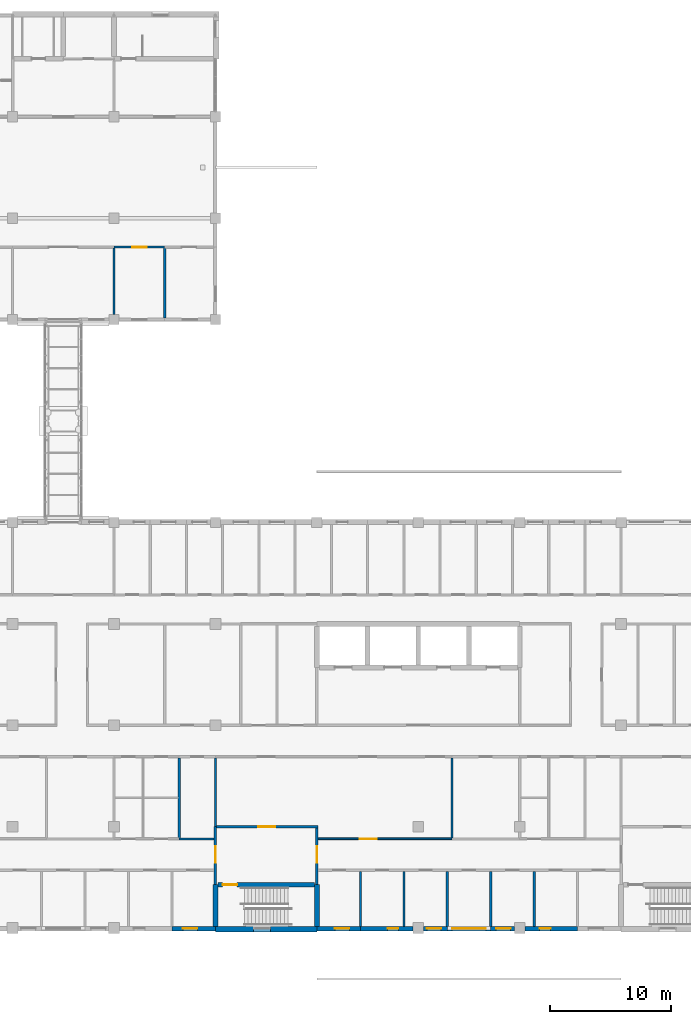
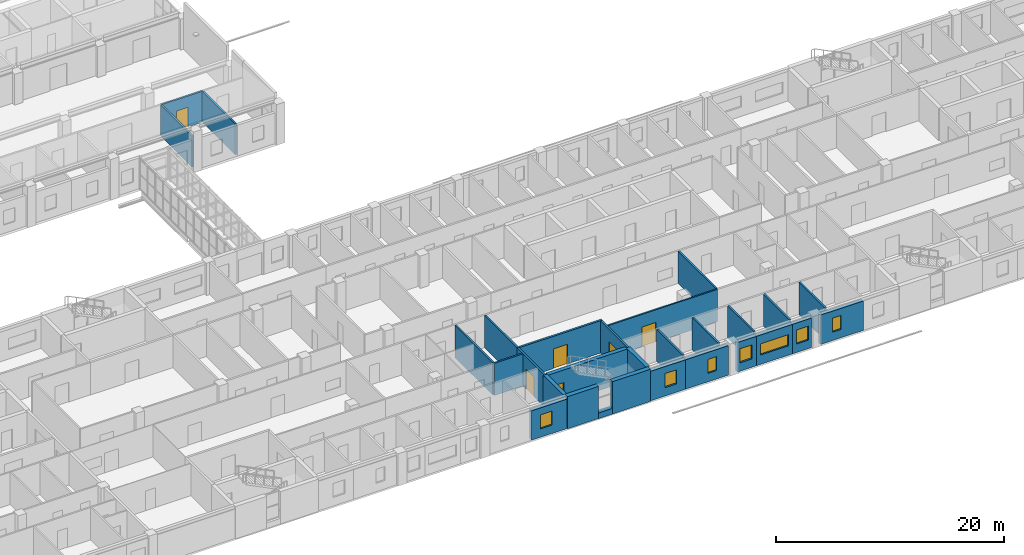
# One storey, part 58 of 94: 29 walls, 7 windows, 6 doors, 13 openings.
"""IFC4 building model written with IfcOpenShell, lengths in metres."""

from ifc_helpers import new_model, si_unit, direction, frame, frame_2d, origin, place, context, subcontext, project, spatial, rectangle, extrude, material, layer, layer_set, type_object, element, fill, save


model = new_model("IFC4")

# Units and contexts
model_context = context("Model", 3, precision=1e-05, world=origin(), true_north=direction((0.0, 1.0)))
body_context = subcontext(model_context, "Body", "Model", "MODEL_VIEW")
ifc_project = project(units=[si_unit("LENGTHUNIT", "METRE"), si_unit("AREAUNIT", "SQUARE_METRE"), si_unit("VOLUMEUNIT", "CUBIC_METRE"), si_unit("PLANEANGLEUNIT", "RADIAN"), si_unit("MASSUNIT", "GRAM", prefix="KILO")], contexts=[model_context])

# Site, building, storey
site_placement = place(None, origin())
site = spatial("IfcSite", under=ifc_project, at=site_placement, CompositionType="ELEMENT")
building_placement = place(site_placement, origin())
building = spatial("IfcBuilding", under=site, at=building_placement, Name="Yavir Park General Hospital", CompositionType="ELEMENT")
storey_placement = place(building_placement, frame((0.0, 0.0, 4.5)))
storey = spatial("IfcBuildingStorey", under=building, at=storey_placement, Name="L01", CompositionType="ELEMENT", Elevation=4.5)

# Wall
ifc_material_1 = material(Name="Double-leaf gypsum board acoustic partition on staggered studs")
ifc_layer_1 = layer(ifc_material_1, 0.175048828125)
ifc_layer_set_1 = layer_set([ifc_layer_1], Name="Double-leaf gypsum board acoustic partition on staggered studs")
wall_type_1 = type_object("IfcWallType", Name="Acoustic partition 175", PredefinedType="PARTITIONING", material=ifc_layer_set_1)
wall_1_placement = place(storey_placement, frame((64.199951171875, 7.39990234375, 0.0), z_axis=(0.0, 0.0, 1.0), x_axis=(1.0, 0.0, 0.0)))
element("IfcWall", 1, at=wall_1_placement, inside=storey, type_object=wall_type_1, Name="AP175 L01-019", PredefinedType="PARTITIONING", context=body_context, shape_type="SweptSolid", body=[
    extrude(rectangle(XDim=2.900146484375, YDim=0.175048828125, at=frame_2d((1.4501953125, 0.0))), origin(), (0.0, 0.0, 1.0), 3.449951171875),
])

# Wall, opening, door
wall_2_placement = place(storey_placement, frame((58.800048828125, 56.39990234375, 0.0), z_axis=(0.0, 0.0, 1.0), x_axis=(1.0, 0.0, 0.0)))
wall_2 = element("IfcWall", 2, at=wall_2_placement, inside=storey, type_object=wall_type_1, Name="AP175 L01-169", PredefinedType="PARTITIONING", context=body_context, shape_type="SweptSolid", body=[
    extrude(rectangle(XDim=4.199951171875, YDim=0.175048828125, at=frame_2d((2.10009765625, 0.0))), origin(), (0.0, 0.0, 1.0), 3.300048828125),
])
opening_1_placement = place(wall_2_placement, frame((1.5, 0.0, 0.0)))
opening_1 = element("IfcOpeningElement", 3, at=opening_1_placement, cuts=wall_2, Name="Opening L01.D150", PredefinedType="OPENING", context=body_context, shape_type="SweptSolid", body=[
    extrude(rectangle(XDim=1.199951171875, YDim=2.10009765625, at=frame_2d((0.60009765625, 1.050048828125))), frame((0.0, 0.097412109375, 0.0), z_axis=(0.0, -1.0, 0.0), x_axis=(1.0, 0.0, 0.0)), (0.0, 0.0, 1.0), 0.195068359375),
])
ifc_material_2 = material(Name="Sealed solid-core acoustic door leaf, Rw 42 dB")
door_type_1 = type_object("IfcDoorType", Name="Acoustic door 1200 x 2100", OperationType="SINGLE_SWING_LEFT", PredefinedType="DOOR", material=ifc_material_2)
door_1_placement = place(opening_1_placement, origin())
door_1 = element("IfcDoor", 4, at=door_1_placement, inside=storey, type_object=door_type_1, Name="L01.D150", OperationType="SINGLE_SWING_LEFT", OverallHeight=2.10009765625, OverallWidth=1.199951171875, PredefinedType="DOOR", context=body_context, shape_type="SweptSolid", body=[
    extrude(rectangle(XDim=1.199951171875, YDim=2.10009765625, at=frame_2d((0.60009765625, 1.050048828125))), frame((0.0, 0.03515625, 0.0), z_axis=(0.0, -1.0, 0.0), x_axis=(1.0, 0.0, 0.0)), (0.0, 0.0, 1.0), 0.070068359375),
])
fill(opening_1, door_1)

# Walls
wall_3_placement = place(storey_placement, frame((58.800048828125, 50.824951171875, 0.0), z_axis=(0.0, 0.0, 1.0), x_axis=(0.0, 1.0, 0.0)))
element("IfcWall", 5, at=wall_3_placement, inside=storey, type_object=wall_type_1, Name="AP175 L01-362", PredefinedType="PARTITIONING", context=body_context, shape_type="SweptSolid", body=[
    extrude(rectangle(XDim=5.487548828125, YDim=0.175048828125, at=frame_2d((2.74365234375, 0.0))), origin(), (0.0, 0.0, 1.0), 3.300048828125),
])
wall_4_placement = place(storey_placement, frame((63.0, 50.550048828125, 0.0), z_axis=(0.0, 0.0, 1.0), x_axis=(0.0, 1.0, 0.0)))
element("IfcWall", 6, at=wall_4_placement, inside=storey, type_object=wall_type_1, Name="AP175 L01-370", PredefinedType="PARTITIONING", context=body_context, shape_type="SweptSolid", body=[
    extrude(rectangle(XDim=5.762451171875, YDim=0.175048828125, at=frame_2d((2.88134765625, 0.0))), origin(), (0.0, 0.0, 1.0), 3.300048828125),
])
wall_5_placement = place(storey_placement, frame((64.199951171875, 7.487548828125, 0.0), z_axis=(0.0, 0.0, 1.0), x_axis=(0.0, 1.0, 0.0)))
element("IfcWall", 7, at=wall_5_placement, inside=storey, type_object=wall_type_1, Name="AP175 L01-372", PredefinedType="PARTITIONING", context=body_context, shape_type="SweptSolid", body=[
    extrude(rectangle(XDim=6.625, YDim=0.175048828125, at=frame_2d((3.3125, 0.0))), origin(), (0.0, 0.0, 1.0), 3.449951171875),
])
wall_6_placement = place(storey_placement, frame((67.199951171875, 8.39990234375, 0.0), z_axis=(0.0, 0.0, 1.0), x_axis=(0.0, 1.0, 0.0)))
element("IfcWall", 8, at=wall_6_placement, inside=storey, type_object=wall_type_1, Name="AP175 L01-376", PredefinedType="PARTITIONING", context=body_context, shape_type="SweptSolid", body=[
    extrude(rectangle(XDim=5.712646484375, YDim=0.175048828125, at=frame_2d((2.8564453125, 0.0))), origin(), (0.0, 0.0, 1.0), 3.449951171875),
])
for number, where, z_axis, x_axis, name in (
    (9, (79.199951171875, 0.14990234375, 0.0), (0.0, 0.0, 1.0), (0.0, 1.0, 0.0), "AP175 L01-387"),
    (10, (82.800048828125, 0.14990234375, 0.0), (0.0, 0.0, 1.0), (0.0, 1.0, 0.0), "AP175 L01-390"),
    (11, (86.39990234375, 0.14990234375, 0.0), (0.0, 0.0, 1.0), (0.0, 1.0, 0.0), "AP175 L01-394"),
):
    element("IfcWall", number, at=place(storey_placement, frame(where, z_axis=z_axis, x_axis=x_axis)), inside=storey, type_object=wall_type_1, Name=name, PredefinedType="PARTITIONING", context=body_context, shape_type="SweptSolid", body=[
        extrude(rectangle(XDim=4.5625, YDim=0.175048828125, at=frame_2d((2.28125, 0.0))), origin(), (0.0, 0.0, 1.0), 3.449951171875),
    ])
wall_7_placement = place(storey_placement, frame((86.800048828125, 7.487548828125, 0.0), z_axis=(0.0, 0.0, 1.0), x_axis=(0.0, 1.0, 0.0)))
element("IfcWall", 12, at=wall_7_placement, inside=storey, type_object=wall_type_1, Name="AP175 L01-395", PredefinedType="PARTITIONING", context=body_context, shape_type="SweptSolid", body=[
    extrude(rectangle(XDim=6.625, YDim=0.175048828125, at=frame_2d((3.3125, 0.0))), origin(), (0.0, 0.0, 1.0), 3.449951171875),
])
for number, where, z_axis, x_axis, name in (
    (13, (90.0, 0.14990234375, 0.0), (0.0, 0.0, 1.0), (0.0, 1.0, 0.0), "AP175 L01-398"),
    (14, (93.60009765625, 0.14990234375, 0.0), (0.0, 0.0, 1.0), (0.0, 1.0, 0.0), "AP175 L01-404"),
):
    element("IfcWall", number, at=place(storey_placement, frame(where, z_axis=z_axis, x_axis=x_axis)), inside=storey, type_object=wall_type_1, Name=name, PredefinedType="PARTITIONING", context=body_context, shape_type="SweptSolid", body=[
        extrude(rectangle(XDim=4.5625, YDim=0.175048828125, at=frame_2d((2.28125, 0.0))), origin(), (0.0, 0.0, 1.0), 3.449951171875),
    ])

# Wall, opening, door
ifc_material_3 = material(Name="Double gypsum board fire partition on steel studs", Category="steel")
ifc_layer_2 = layer(ifc_material_3, 0.199951171875)
ifc_layer_set_2 = layer_set([ifc_layer_2], Name="Double gypsum board fire partition on steel studs")
wall_type_2 = type_object("IfcWallType", Name="Fire-rated partition 200, EI 60", PredefinedType="PARTITIONING", material=ifc_layer_set_2)
wall_8_placement = place(storey_placement, frame((67.300048828125, 8.39990234375, 0.0), z_axis=(0.0, 0.0, 1.0), x_axis=(1.0, 0.0, 0.0)))
wall_8 = element("IfcWall", 15, at=wall_8_placement, inside=storey, type_object=wall_type_2, Name="FP20 L01-030", PredefinedType="PARTITIONING", context=body_context, shape_type="SweptSolid", body=[
    extrude(rectangle(XDim=8.39990234375, YDim=0.199951171875, at=frame_2d((4.199951171875, 0.0))), origin(), (0.0, 0.0, 1.0), 3.449951171875),
])
opening_2_placement = place(wall_8_placement, frame((3.449951171875, 0.0, 0.0)))
opening_2 = element("IfcOpeningElement", 16, at=opening_2_placement, cuts=wall_8, Name="Opening L01.D046", PredefinedType="OPENING", context=body_context, shape_type="SweptSolid", body=[
    extrude(rectangle(XDim=1.39990234375, YDim=2.10009765625, at=frame_2d((0.699951171875, 1.050048828125))), frame((0.0, 0.10986328125, 0.0), z_axis=(0.0, -1.0, 0.0), x_axis=(1.0, 0.0, 0.0)), (0.0, 0.0, 1.0), 0.219970703125),
])
ifc_material_4 = material(Name="Steel frame, fire-resisting timber leaves", Category="steel")
door_type_2 = type_object("IfcDoorType", Name="Double fire door 1400 x 2100, EI 60", OperationType="DOUBLE_DOOR_SINGLE_SWING", PredefinedType="DOOR", material=ifc_material_4)
door_2_placement = place(opening_2_placement, origin())
door_2 = element("IfcDoor", 17, at=door_2_placement, inside=storey, type_object=door_type_2, Name="L01.D046", OperationType="SINGLE_SWING_RIGHT", OverallHeight=2.10009765625, OverallWidth=1.39990234375, PredefinedType="DOOR", context=body_context, shape_type="SweptSolid", body=[
    extrude(rectangle(XDim=1.39990234375, YDim=2.10009765625, at=frame_2d((0.699951171875, 1.050048828125))), frame((0.0, 0.02490234375, 0.0), z_axis=(0.0, -1.0, 0.0), x_axis=(1.0, 0.0, 0.0)), (0.0, 0.0, 1.0), 0.050048828125),
])
fill(opening_2, door_2)

wall_9_placement = place(storey_placement, frame((67.199951171875, 3.60009765625, 0.0), z_axis=(0.0, 0.0, 1.0), x_axis=(0.0, 1.0, 0.0)))
wall_9 = element("IfcWall", 18, at=wall_9_placement, inside=storey, type_object=wall_type_2, Name="FP20 L01-375", PredefinedType="PARTITIONING", context=body_context, shape_type="SweptSolid", body=[
    extrude(rectangle(XDim=4.7998046875, YDim=0.199951171875, at=frame_2d((2.39990234375, 0.0))), origin(), (0.0, 0.0, 1.0), 3.449951171875),
])
opening_3_placement = place(wall_9_placement, frame((1.800048828125, 0.0, 0.0)))
opening_3 = element("IfcOpeningElement", 19, at=opening_3_placement, cuts=wall_9, Name="Opening L01.D234", PredefinedType="OPENING", context=body_context, shape_type="SweptSolid", body=[
    extrude(rectangle(XDim=1.39990234375, YDim=2.10009765625, at=frame_2d((0.699951171875, 1.050048828125))), frame((0.0, 0.10986328125, 0.0), z_axis=(0.0, -1.0, 0.0), x_axis=(1.0, 0.0, 0.0)), (0.0, 0.0, 1.0), 0.219970703125),
])
ifc_material_5 = material(Name="Steel frame, fire-resisting leaves with vision panels", Category="steel")
door_type_3 = type_object("IfcDoorType", Name="Double fire door with vision panels 1400 x 2100, EI 60", OperationType="DOUBLE_DOOR_SINGLE_SWING", PredefinedType="DOOR", material=ifc_material_5)
door_3_placement = place(opening_3_placement, origin())
door_3 = element("IfcDoor", 20, at=door_3_placement, inside=storey, type_object=door_type_3, Name="L01.D234", OperationType="SINGLE_SWING_RIGHT", OverallHeight=2.10009765625, OverallWidth=1.39990234375, PredefinedType="DOOR", context=body_context, shape_type="SweptSolid", body=[
    extrude(rectangle(XDim=1.39990234375, YDim=2.10009765625, at=frame_2d((0.699951171875, 1.050048828125))), frame((0.0, 0.030029296875, 0.0), z_axis=(0.0, -1.0, 0.0), x_axis=(1.0, 0.0, 0.0)), (0.0, 0.0, 1.0), 0.06005859375),
])
fill(opening_3, door_3)

wall_10_placement = place(storey_placement, frame((75.60009765625, 3.60009765625, 0.0), z_axis=(0.0, 0.0, 1.0), x_axis=(0.0, 1.0, 0.0)))
wall_10 = element("IfcWall", 21, at=wall_10_placement, inside=storey, type_object=wall_type_2, Name="FP20 L01-383", PredefinedType="PARTITIONING", context=body_context, shape_type="SweptSolid", body=[
    extrude(rectangle(XDim=4.699951171875, YDim=0.199951171875, at=frame_2d((2.35009765625, 0.0))), origin(), (0.0, 0.0, 1.0), 3.449951171875),
])
opening_4_placement = place(wall_10_placement, frame((1.800048828125, 0.0, 0.0)))
opening_4 = element("IfcOpeningElement", 22, at=opening_4_placement, cuts=wall_10, Name="Opening L01.D235", PredefinedType="OPENING", context=body_context, shape_type="SweptSolid", body=[
    extrude(rectangle(XDim=1.39990234375, YDim=2.10009765625, at=frame_2d((0.699951171875, 1.050048828125))), frame((0.0, 0.10986328125, 0.0), z_axis=(0.0, -1.0, 0.0), x_axis=(1.0, 0.0, 0.0)), (0.0, 0.0, 1.0), 0.219970703125),
])
door_4_placement = place(opening_4_placement, origin())
door_4 = element("IfcDoor", 23, at=door_4_placement, inside=storey, type_object=door_type_3, Name="L01.D235", OperationType="SINGLE_SWING_LEFT", OverallHeight=2.10009765625, OverallWidth=1.39990234375, PredefinedType="DOOR", context=body_context, shape_type="SweptSolid", body=[
    extrude(rectangle(XDim=1.39990234375, YDim=2.10009765625, at=frame_2d((0.699951171875, 1.050048828125))), frame((0.0, 0.030029296875, 0.0), z_axis=(0.0, -1.0, 0.0), x_axis=(1.0, 0.0, 0.0)), (0.0, 0.0, 1.0), 0.06005859375),
])
fill(opening_4, door_4)

ifc_material_6 = material(Name="Gypsum board partition on steel studs", Category="steel")
ifc_layer_3 = layer(ifc_material_6, 0.14990234375)
ifc_layer_set_3 = layer_set([ifc_layer_3], Name="Gypsum board partition on steel studs")
wall_type_3 = type_object("IfcWallType", Name="Gypsum board partition 150", PredefinedType="PARTITIONING", material=ifc_layer_set_3)
wall_11_placement = place(storey_placement, frame((75.699951171875, 7.39990234375, 0.0), z_axis=(0.0, 0.0, 1.0), x_axis=(1.0, 0.0, 0.0)))
wall_11 = element("IfcWall", 24, at=wall_11_placement, inside=storey, type_object=wall_type_3, Name="P15 L01-020", PredefinedType="PARTITIONING", context=body_context, shape_type="SweptSolid", body=[
    extrude(rectangle(XDim=11.10009765625, YDim=0.14990234375, at=frame_2d((5.550048828125, 0.0))), origin(), (0.0, 0.0, 1.0), 3.449951171875),
])
opening_5_placement = place(wall_11_placement, frame((3.449951171875, 0.0, 0.0)))
opening_5 = element("IfcOpeningElement", 25, at=opening_5_placement, cuts=wall_11, Name="Opening L01.D040", PredefinedType="OPENING", context=body_context, shape_type="SweptSolid", body=[
    extrude(rectangle(XDim=1.39990234375, YDim=2.10009765625, at=frame_2d((0.699951171875, 1.050048828125))), frame((0.0, 0.0849609375, 0.0), z_axis=(0.0, -1.0, 0.0), x_axis=(1.0, 0.0, 0.0)), (0.0, 0.0, 1.0), 0.169921875),
])
ifc_material_7 = material(Name="Hollow metal frame, solid-core timber leaf", Category="wood")
door_type_4 = type_object("IfcDoorType", Name="Double swing door 1400 x 2100", OperationType="DOUBLE_DOOR_SINGLE_SWING", PredefinedType="DOOR", material=ifc_material_7)
door_5_placement = place(opening_5_placement, origin())
door_5 = element("IfcDoor", 26, at=door_5_placement, inside=storey, type_object=door_type_4, Name="L01.D040", OperationType="SINGLE_SWING_LEFT", OverallHeight=2.10009765625, OverallWidth=1.39990234375, PredefinedType="DOOR", context=body_context, shape_type="SweptSolid", body=[
    extrude(rectangle(XDim=1.39990234375, YDim=2.10009765625, at=frame_2d((0.699951171875, 1.050048828125))), frame((0.0, 0.02490234375, 0.0), z_axis=(0.0, -1.0, 0.0), x_axis=(1.0, 0.0, 0.0)), (0.0, 0.0, 1.0), 0.050048828125),
])
fill(opening_5, door_5)

# Wall, opening, window
ifc_material_8 = material(Name="Autoclaved aerated block, 150 mm mineral wool and sand-coloured mineral render")
ifc_layer_4 = layer(ifc_material_8, 0.375)
ifc_layer_set_4 = layer_set([ifc_layer_4], Name="Autoclaved aerated block, 150 mm mineral wool and sand-coloured mineral render")
wall_type_4 = type_object("IfcWallType", Name="Mineral render clinical wall 375, E 30", PredefinedType="SOLIDWALL", material=ifc_layer_set_4)
wall_12_placement = place(storey_placement, frame((63.60009765625, -0.03759765625, 0.0), z_axis=(0.0, 0.0, 1.0), x_axis=(1.0, 0.0, 0.0)))
wall_12 = element("IfcWall", 27, at=wall_12_placement, inside=storey, type_object=wall_type_4, Name="XW1 L01-017", PredefinedType="SOLIDWALL", context=body_context, shape_type="SweptSolid", body=[
    extrude(rectangle(XDim=3.599853515625, YDim=0.375, at=frame_2d((1.7998046875, 0.0))), origin(), (0.0, 0.0, 1.0), 3.14990234375),
])
opening_6_placement = place(wall_12_placement, frame((0.89990234375, 0.0, 0.89990234375)))
opening_6 = element("IfcOpeningElement", 28, at=opening_6_placement, cuts=wall_12, Name="Opening WD", PredefinedType="OPENING", context=body_context, shape_type="SweptSolid", body=[
    extrude(rectangle(XDim=1.199951171875, YDim=1.5, at=frame_2d((0.60009765625, 0.75))), frame((0.0, 0.197509765625, 0.0), z_axis=(0.0, -1.0, 0.0), x_axis=(1.0, 0.0, 0.0)), (0.0, 0.0, 1.0), 0.39501953125),
])
ifc_material_9 = material(Name="Aluminium frame, double glazed unit", Category="aluminium")
window_type_1 = type_object("IfcWindowType", Name="Office window 1200 x 1500", PartitioningType="SINGLE_PANEL", PredefinedType="WINDOW", material=ifc_material_9)
window_1_placement = place(opening_6_placement, origin())
window_1 = element("IfcWindow", 29, at=window_1_placement, inside=storey, type_object=window_type_1, Name="WD L01-013", OverallHeight=1.5, OverallWidth=1.199951171875, PartitioningType="SINGLE_PANEL", PredefinedType="WINDOW", context=body_context, shape_type="SweptSolid", body=[
    extrude(rectangle(XDim=1.199951171875, YDim=1.5, at=frame_2d((0.60009765625, 0.75))), frame((0.0, 0.030029296875, 0.0), z_axis=(0.0, -1.0, 0.0), x_axis=(1.0, 0.0, 0.0)), (0.0, 0.0, 1.0), 0.06005859375),
])
fill(opening_6, window_1)

wall_13_placement = place(storey_placement, frame((75.60009765625, -0.03759765625, 0.0), z_axis=(0.0, 0.0, 1.0), x_axis=(1.0, 0.0, 0.0)))
wall_13 = element("IfcWall", 30, at=wall_13_placement, inside=storey, type_object=wall_type_4, Name="XW1 L01-021", PredefinedType="SOLIDWALL", context=body_context, shape_type="SweptSolid", body=[
    extrude(rectangle(XDim=3.599853515625, YDim=0.375, at=frame_2d((1.7998046875, 0.0))), origin(), (0.0, 0.0, 1.0), 3.14990234375),
])
opening_7_placement = place(wall_13_placement, frame((1.5, 0.0, 0.89990234375)))
opening_7 = element("IfcOpeningElement", 31, at=opening_7_placement, cuts=wall_13, Name="Opening WD", PredefinedType="OPENING", context=body_context, shape_type="SweptSolid", body=[
    extrude(rectangle(XDim=1.199951171875, YDim=1.5, at=frame_2d((0.60009765625, 0.75))), frame((0.0, 0.197509765625, 0.0), z_axis=(0.0, -1.0, 0.0), x_axis=(1.0, 0.0, 0.0)), (0.0, 0.0, 1.0), 0.39501953125),
])
window_2_placement = place(opening_7_placement, origin())
window_2 = element("IfcWindow", 32, at=window_2_placement, inside=storey, type_object=window_type_1, Name="WD L01-014", OverallHeight=1.5, OverallWidth=1.199951171875, PartitioningType="SINGLE_PANEL", PredefinedType="WINDOW", context=body_context, shape_type="SweptSolid", body=[
    extrude(rectangle(XDim=1.199951171875, YDim=1.5, at=frame_2d((0.60009765625, 0.75))), frame((0.0, 0.030029296875, 0.0), z_axis=(0.0, -1.0, 0.0), x_axis=(1.0, 0.0, 0.0)), (0.0, 0.0, 1.0), 0.06005859375),
])
fill(opening_7, window_2)

wall_14_placement = place(storey_placement, frame((79.199951171875, -0.03759765625, 0.0), z_axis=(0.0, 0.0, 1.0), x_axis=(1.0, 0.0, 0.0)))
wall_14 = element("IfcWall", 33, at=wall_14_placement, inside=storey, type_object=wall_type_4, Name="XW1 L01-022", PredefinedType="SOLIDWALL", context=body_context, shape_type="SweptSolid", body=[
    extrude(rectangle(XDim=4.35009765625, YDim=0.375, at=frame_2d((2.175048828125, 0.0))), origin(), (0.0, 0.0, 1.0), 3.14990234375),
])
opening_8_placement = place(wall_14_placement, frame((2.25, 0.0, 0.89990234375)))
opening_8 = element("IfcOpeningElement", 34, at=opening_8_placement, cuts=wall_14, Name="Opening WH", PredefinedType="OPENING", context=body_context, shape_type="SweptSolid", body=[
    extrude(rectangle(XDim=0.89990234375, YDim=1.5, at=frame_2d((0.449951171875, 0.75))), frame((0.0, 0.197509765625, 0.0), z_axis=(0.0, -1.0, 0.0), x_axis=(1.0, 0.0, 0.0)), (0.0, 0.0, 1.0), 0.39501953125),
])
ifc_material_10 = material(Name="Aluminium frame, double glazed unit", Category="aluminium")
window_type_2 = type_object("IfcWindowType", Name="Narrow window 900 x 1500", PartitioningType="SINGLE_PANEL", PredefinedType="WINDOW", material=ifc_material_10)
window_3_placement = place(opening_8_placement, origin())
window_3 = element("IfcWindow", 35, at=window_3_placement, inside=storey, type_object=window_type_2, Name="WH L01-015", OverallHeight=1.5, OverallWidth=0.89990234375, PartitioningType="SINGLE_PANEL", PredefinedType="WINDOW", context=body_context, shape_type="SweptSolid", body=[
    extrude(rectangle(XDim=0.89990234375, YDim=1.5, at=frame_2d((0.449951171875, 0.75))), frame((0.0, 0.030029296875, 0.0), z_axis=(0.0, -1.0, 0.0), x_axis=(1.0, 0.0, 0.0)), (0.0, 0.0, 1.0), 0.06005859375),
])
fill(opening_8, window_3)

wall_15_placement = place(storey_placement, frame((84.449951171875, -0.03759765625, 0.0), z_axis=(0.0, 0.0, 1.0), x_axis=(1.0, 0.0, 0.0)))
wall_15 = element("IfcWall", 36, at=wall_15_placement, inside=storey, type_object=wall_type_4, Name="XW1 L01-024", PredefinedType="SOLIDWALL", context=body_context, shape_type="SweptSolid", body=[
    extrude(rectangle(XDim=1.949951171875, YDim=0.375, at=frame_2d((0.97509765625, 0.0))), origin(), (0.0, 0.0, 1.0), 3.14990234375),
])
opening_9_placement = place(wall_15_placement, frame((0.25, 0.0, 0.89990234375)))
opening_9 = element("IfcOpeningElement", 37, at=opening_9_placement, cuts=wall_15, Name="Opening WD", PredefinedType="OPENING", context=body_context, shape_type="SweptSolid", body=[
    extrude(rectangle(XDim=1.199951171875, YDim=1.5, at=frame_2d((0.60009765625, 0.75))), frame((0.0, 0.197509765625, 0.0), z_axis=(0.0, -1.0, 0.0), x_axis=(1.0, 0.0, 0.0)), (0.0, 0.0, 1.0), 0.39501953125),
])
window_4_placement = place(opening_9_placement, origin())
window_4 = element("IfcWindow", 38, at=window_4_placement, inside=storey, type_object=window_type_1, Name="WD L01-016", OverallHeight=1.5, OverallWidth=1.199951171875, PartitioningType="SINGLE_PANEL", PredefinedType="WINDOW", context=body_context, shape_type="SweptSolid", body=[
    extrude(rectangle(XDim=1.199951171875, YDim=1.5, at=frame_2d((0.60009765625, 0.75))), frame((0.0, 0.030029296875, 0.0), z_axis=(0.0, -1.0, 0.0), x_axis=(1.0, 0.0, 0.0)), (0.0, 0.0, 1.0), 0.06005859375),
])
fill(opening_9, window_4)

wall_16_placement = place(storey_placement, frame((86.39990234375, -0.03759765625, 0.0), z_axis=(0.0, 0.0, 1.0), x_axis=(1.0, 0.0, 0.0)))
wall_16 = element("IfcWall", 39, at=wall_16_placement, inside=storey, type_object=wall_type_4, Name="XW1 L01-025", PredefinedType="SOLIDWALL", context=body_context, shape_type="SweptSolid", body=[
    extrude(rectangle(XDim=3.60009765625, YDim=0.375, at=frame_2d((1.800048828125, 0.0))), origin(), (0.0, 0.0, 1.0), 3.14990234375),
])
opening_10_placement = place(wall_16_placement, frame((0.39990234375, 0.0, 1.0)))
opening_10 = element("IfcOpeningElement", 40, at=opening_10_placement, cuts=wall_16, Name="Opening WRB", PredefinedType="OPENING", context=body_context, shape_type="SweptSolid", body=[
    extrude(rectangle(XDim=2.800048828125, YDim=1.199951171875, at=frame_2d((1.39990234375, 0.60009765625))), frame((0.0, 0.197509765625, 0.0), z_axis=(0.0, -1.0, 0.0), x_axis=(1.0, 0.0, 0.0)), (0.0, 0.0, 1.0), 0.39501953125),
])
ifc_material_11 = material(Name="Aluminium frame, double glazed unit", Category="aluminium")
window_type_3 = type_object("IfcWindowType", Name="Ribbon window 2800 x 1200", PartitioningType="DOUBLE_PANEL_VERTICAL", PredefinedType="WINDOW", material=ifc_material_11)
window_5_placement = place(opening_10_placement, origin())
window_5 = element("IfcWindow", 41, at=window_5_placement, inside=storey, type_object=window_type_3, Name="WRB L01-017", OverallHeight=1.199951171875, OverallWidth=2.800048828125, PartitioningType="DOUBLE_PANEL_VERTICAL", PredefinedType="WINDOW", context=body_context, shape_type="SweptSolid", body=[
    extrude(rectangle(XDim=2.800048828125, YDim=1.199951171875, at=frame_2d((1.39990234375, 0.60009765625))), frame((0.0, 0.030029296875, 0.0), z_axis=(0.0, -1.0, 0.0), x_axis=(1.0, 0.0, 0.0)), (0.0, 0.0, 1.0), 0.06005859375),
])
fill(opening_10, window_5)

wall_17_placement = place(storey_placement, frame((90.0, -0.03759765625, 0.0), z_axis=(0.0, 0.0, 1.0), x_axis=(1.0, 0.0, 0.0)))
wall_17 = element("IfcWall", 42, at=wall_17_placement, inside=storey, type_object=wall_type_4, Name="XW1 L01-026", PredefinedType="SOLIDWALL", context=body_context, shape_type="SweptSolid", body=[
    extrude(rectangle(XDim=1.949951171875, YDim=0.375, at=frame_2d((0.97509765625, 0.0))), origin(), (0.0, 0.0, 1.0), 3.14990234375),
])
opening_11_placement = place(wall_17_placement, frame((0.449951171875, 0.0, 0.89990234375)))
opening_11 = element("IfcOpeningElement", 43, at=opening_11_placement, cuts=wall_17, Name="Opening WD", PredefinedType="OPENING", context=body_context, shape_type="SweptSolid", body=[
    extrude(rectangle(XDim=1.199951171875, YDim=1.5, at=frame_2d((0.60009765625, 0.75))), frame((0.0, 0.197509765625, 0.0), z_axis=(0.0, -1.0, 0.0), x_axis=(1.0, 0.0, 0.0)), (0.0, 0.0, 1.0), 0.39501953125),
])
window_6_placement = place(opening_11_placement, origin())
window_6 = element("IfcWindow", 44, at=window_6_placement, inside=storey, type_object=window_type_1, Name="WD L01-018", OverallHeight=1.5, OverallWidth=1.199951171875, PartitioningType="SINGLE_PANEL", PredefinedType="WINDOW", context=body_context, shape_type="SweptSolid", body=[
    extrude(rectangle(XDim=1.199951171875, YDim=1.5, at=frame_2d((0.60009765625, 0.75))), frame((0.0, 0.030029296875, 0.0), z_axis=(0.0, -1.0, 0.0), x_axis=(1.0, 0.0, 0.0)), (0.0, 0.0, 1.0), 0.06005859375),
])
fill(opening_11, window_6)

wall_18_placement = place(storey_placement, frame((92.85009765625, -0.03759765625, 0.0), z_axis=(0.0, 0.0, 1.0), x_axis=(1.0, 0.0, 0.0)))
wall_18 = element("IfcWall", 45, at=wall_18_placement, inside=storey, type_object=wall_type_4, Name="XW1 L01-028", PredefinedType="SOLIDWALL", context=body_context, shape_type="SweptSolid", body=[
    extrude(rectangle(XDim=4.349853515625, YDim=0.375, at=frame_2d((2.1748046875, 0.0))), origin(), (0.0, 0.0, 1.0), 3.14990234375),
])
opening_12_placement = place(wall_18_placement, frame((1.199951171875, 0.0, 0.89990234375)))
opening_12 = element("IfcOpeningElement", 46, at=opening_12_placement, cuts=wall_18, Name="Opening WH", PredefinedType="OPENING", context=body_context, shape_type="SweptSolid", body=[
    extrude(rectangle(XDim=0.89990234375, YDim=1.5, at=frame_2d((0.449951171875, 0.75))), frame((0.0, 0.197509765625, 0.0), z_axis=(0.0, -1.0, 0.0), x_axis=(1.0, 0.0, 0.0)), (0.0, 0.0, 1.0), 0.39501953125),
])
window_7_placement = place(opening_12_placement, origin())
window_7 = element("IfcWindow", 47, at=window_7_placement, inside=storey, type_object=window_type_2, Name="WH L01-019", OverallHeight=1.5, OverallWidth=0.89990234375, PartitioningType="SINGLE_PANEL", PredefinedType="WINDOW", context=body_context, shape_type="SweptSolid", body=[
    extrude(rectangle(XDim=0.89990234375, YDim=1.5, at=frame_2d((0.449951171875, 0.75))), frame((0.0, 0.030029296875, 0.0), z_axis=(0.0, -1.0, 0.0), x_axis=(1.0, 0.0, 0.0)), (0.0, 0.0, 1.0), 0.06005859375),
])
fill(opening_12, window_7)

# Wall, opening, door
ifc_material_12 = material(Name="Concrete C35/45", Category="concrete")
ifc_layer_5 = layer(ifc_material_12, 0.39990234375)
ifc_layer_set_5 = layer_set([ifc_layer_5], Name="Concrete C35/45")
wall_type_5 = type_object("IfcWallType", Name="Reinforced concrete core wall 400, REI 150", PredefinedType="SHEAR", material=ifc_layer_set_5)
wall_19_placement = place(storey_placement, frame((67.39990234375, 3.60009765625, 0.0), z_axis=(0.0, 0.0, 1.0), x_axis=(1.0, 0.0, 0.0)))
wall_19 = element("IfcWall", 48, at=wall_19_placement, inside=storey, type_object=wall_type_5, Name="CW40 L01-002", PredefinedType="SHEAR", context=body_context, shape_type="SweptSolid", body=[
    extrude(rectangle(XDim=8.0, YDim=0.39990234375, at=frame_2d((4.0, 0.0))), origin(), (0.0, 0.0, 1.0), 3.449951171875),
])
opening_13_placement = place(wall_19_placement, frame((0.39990234375, 0.0, 0.0)))
opening_13 = element("IfcOpeningElement", 49, at=opening_13_placement, cuts=wall_19, Name="Opening L01.D002", PredefinedType="OPENING", context=body_context, shape_type="SweptSolid", body=[
    extrude(rectangle(XDim=1.199951171875, YDim=2.10009765625, at=frame_2d((0.60009765625, 1.050048828125))), frame((0.0, 0.2099609375, 0.0), z_axis=(0.0, -1.0, 0.0), x_axis=(1.0, 0.0, 0.0)), (0.0, 0.0, 1.0), 0.419921875),
])
ifc_material_13 = material(Name="Steel frame, fire-resisting timber leaf", Category="steel")
door_type_5 = type_object("IfcDoorType", Name="Fire door 1200 x 2100, EI 60", OperationType="SINGLE_SWING_LEFT", PredefinedType="DOOR", material=ifc_material_13)
door_6_placement = place(opening_13_placement, origin())
door_6 = element("IfcDoor", 50, at=door_6_placement, inside=storey, type_object=door_type_5, Name="L01.D002", OperationType="SINGLE_SWING_LEFT", OverallHeight=2.10009765625, OverallWidth=1.199951171875, PredefinedType="DOOR", context=body_context, shape_type="SweptSolid", body=[
    extrude(rectangle(XDim=1.199951171875, YDim=2.10009765625, at=frame_2d((0.60009765625, 1.050048828125))), frame((0.0, 0.02490234375, 0.0), z_axis=(0.0, -1.0, 0.0), x_axis=(1.0, 0.0, 0.0)), (0.0, 0.0, 1.0), 0.050048828125),
])
fill(opening_13, door_6)

# Walls
for number, where, z_axis, x_axis, name in (
    (51, (67.199951171875, 0.14990234375, 0.0), (0.0, 0.0, 1.0), (0.0, 1.0, 0.0), "CW40 L01-374"),
    (52, (75.60009765625, 0.14990234375, 0.0), (0.0, 0.0, 1.0), (0.0, 1.0, 0.0), "CW40 L01-382"),
):
    element("IfcWall", number, at=place(storey_placement, frame(where, z_axis=z_axis, x_axis=x_axis)), inside=storey, type_object=wall_type_5, Name=name, PredefinedType="SHEAR", context=body_context, shape_type="SweptSolid", body=[
        extrude(rectangle(XDim=3.4501953125, YDim=0.39990234375, at=frame_2d((1.72509765625, 0.0))), origin(), (0.0, 0.0, 1.0), 3.449951171875),
    ])
ifc_material_14 = material(Name="Concrete C30/37 precast panel with 150 mm mineral wool insulation", Category="concrete")
ifc_layer_6 = layer(ifc_material_14, 0.449951171875)
ifc_layer_set_6 = layer_set([ifc_layer_6], Name="Concrete C30/37 precast panel with 150 mm mineral wool insulation")
wall_type_6 = type_object("IfcWallType", Name="Stair enclosure wall 450, REI 150", PredefinedType="SOLIDWALL", material=ifc_layer_set_6)
wall_20_placement = place(storey_placement, frame((67.199951171875, -0.074951171875, 0.0), z_axis=(0.0, 0.0, 1.0), x_axis=(1.0, 0.0, 0.0)))
element("IfcWall", 53, at=wall_20_placement, inside=storey, type_object=wall_type_6, Name="XW6 L01-018", PredefinedType="SOLIDWALL", context=body_context, shape_type="SweptSolid", body=[
    extrude(rectangle(XDim=3.150146484375, YDim=0.449951171875, at=frame_2d((1.5751953125, 0.0))), origin(), (0.0, 0.0, 1.0), 3.449951171875),
])
wall_21_placement = place(storey_placement, frame((71.75, -0.074951171875, 0.0), z_axis=(0.0, 0.0, 1.0), x_axis=(1.0, 0.0, 0.0)))
element("IfcWall", 54, at=wall_21_placement, inside=storey, type_object=wall_type_6, Name="XW6 L01-019", PredefinedType="SOLIDWALL", context=body_context, shape_type="SweptSolid", body=[
    extrude(rectangle(XDim=3.85009765625, YDim=0.449951171875, at=frame_2d((1.925048828125, 0.0))), origin(), (0.0, 0.0, 1.0), 3.449951171875),
])
wall_22_placement = place(storey_placement, frame((70.35009765625, -0.074951171875, 0.0), z_axis=(0.0, 0.0, 1.0), x_axis=(1.0, 0.0, 0.0)))
element("IfcWall", 55, at=wall_22_placement, inside=storey, type_object=wall_type_6, Name="XW6 L01-020", PredefinedType="SOLIDWALL", context=body_context, shape_type="SweptSolid", body=[
    extrude(rectangle(XDim=1.39990234375, YDim=0.449951171875, at=frame_2d((0.699951171875, 0.0))), origin(), (0.0, 0.0, 1.0), 0.60009765625),
])

save(model, "model.ifc")
